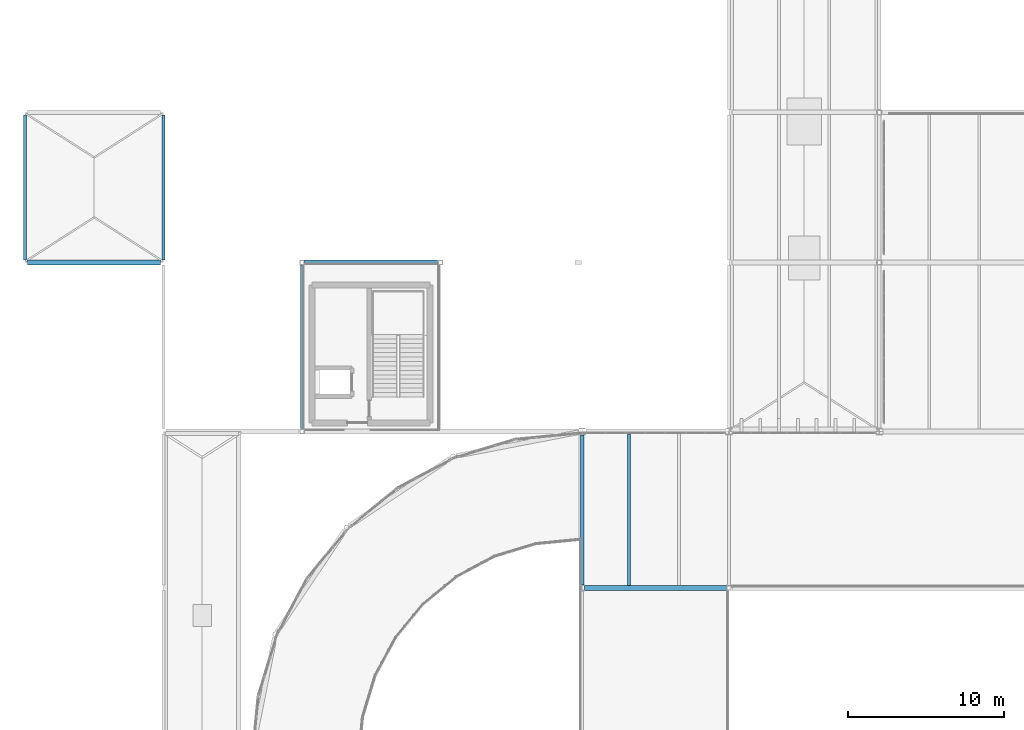
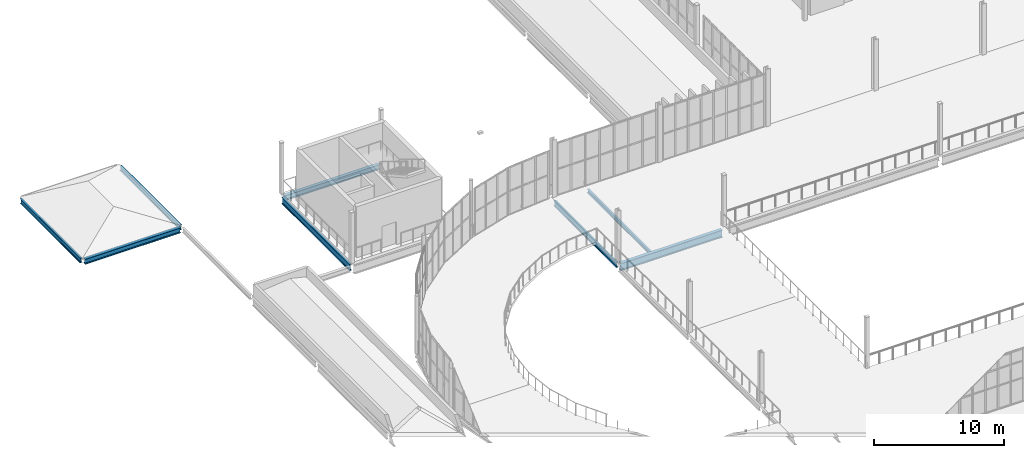
# One storey, part 40 of 112: 8 beams.
"""IFC4 building model written with IfcOpenShell, lengths in metres."""

from ifc_helpers import new_model, si_unit, direction, frame, origin, origin_2d, place, context, subcontext, project, spatial, i_section, extrude, material, material_profile, profile_set, type_object, element, save


model = new_model("IFC4")

# Units and contexts
model_context = context("Model", 3, precision=1e-05, world=origin(), true_north=direction((0.0, 1.0)))
body_context = subcontext(model_context, "Body", "Model", "MODEL_VIEW")
ifc_project = project(units=[si_unit("LENGTHUNIT", "METRE"), si_unit("AREAUNIT", "SQUARE_METRE"), si_unit("VOLUMEUNIT", "CUBIC_METRE"), si_unit("PLANEANGLEUNIT", "RADIAN"), si_unit("MASSUNIT", "GRAM", prefix="KILO")], contexts=[model_context])

# Site, building, storey
site_placement = place(None, origin())
site = spatial("IfcSite", under=ifc_project, at=site_placement, CompositionType="ELEMENT")
building_placement = place(site_placement, origin())
building = spatial("IfcBuilding", under=site, at=building_placement, Name="Yeouljin Market Hall", CompositionType="ELEMENT")
storey_placement = place(building_placement, frame((0.0, 0.0, 6.0)))
storey = spatial("IfcBuildingStorey", under=building, at=storey_placement, Name="L01", CompositionType="ELEMENT", Elevation=6.0)

# Beams
ifc_material_1 = material(Name="Steel SM355", Category="steel")
ifc_material_profile_1 = material_profile(ifc_material_1, i_section(OverallWidth=0.199951171875, OverallDepth=0.449951171875, WebThickness=0.009033203125, FlangeThickness=0.013916015625, FilletRadius=0.01806640625, at=origin_2d()), Name="H-450x200x9x14")
ifc_profile_set_1 = profile_set([ifc_material_profile_1], Name="Steel SM355")
beam_type_1 = type_object("IfcBeamType", Name="Beam_H-450x200x9x14", PredefinedType="BEAM", material=ifc_profile_set_1)
for number, where, z_axis, x_axis, name in (
    (1, (0.0, 88.97509765625, -0.2451171875), (0.0, 1.0, 0.0), (-1.0, 0.0, 0.0), "Service apron canopy beam BM-ENDCAN-Y04"),
    (2, (8.85009765625, 88.97509765625, -0.2451171875), (0.0, 1.0, 0.0), (-1.0, 0.0, 0.0), "Service apron canopy beam BM-ENDCAN-Y06"),
):
    element("IfcBeam", number, at=place(storey_placement, frame(where, z_axis=z_axis, x_axis=x_axis)), inside=storey, type_object=beam_type_1, Name=name, PredefinedType="BEAM", context=body_context, shape_type="SweptSolid", body=[
        extrude(i_section(OverallWidth=0.199951171875, OverallDepth=0.449951171875, WebThickness=0.009033203125, FlangeThickness=0.013916015625, FilletRadius=0.01806640625, at=origin_2d()), origin(), (0.0, 0.0, 1.0), 9.25),
    ])
ifc_material_2 = material(Name="Steel SM355", Category="steel")
ifc_material_profile_2 = material_profile(ifc_material_2, i_section(OverallWidth=0.199951171875, OverallDepth=0.5, WebThickness=0.010009765625, FlangeThickness=0.01611328125, FilletRadius=0.02001953125, at=origin_2d()), Name="H-500x200x10x16")
ifc_profile_set_2 = profile_set([ifc_material_profile_2], Name="Steel SM355")
beam_type_2 = type_object("IfcBeamType", Name="Beam_H-500x200x10x16", PredefinedType="BEAM", material=ifc_profile_set_2)
beam_1_placement = place(storey_placement, frame((35.614990234375, 68.175048828125, -0.52001953125), z_axis=(0.0, 1.0, 0.0), x_axis=(-1.0, 0.0, 0.0)))
element("IfcBeam", 3, at=beam_1_placement, inside=storey, type_object=beam_type_2, Name="Primary beam BM-L01-Y154", PredefinedType="BEAM", context=body_context, shape_type="SweptSolid", body=[
    extrude(i_section(OverallWidth=0.199951171875, OverallDepth=0.5, WebThickness=0.010009765625, FlangeThickness=0.01611328125, FilletRadius=0.02001953125, at=origin_2d()), origin(), (0.0, 0.0, 1.0), 9.599853515625),
])
ifc_material_3 = material(Name="Steel SM355", Category="steel")
ifc_material_profile_3 = material_profile(ifc_material_3, i_section(OverallWidth=0.199951171875, OverallDepth=0.60009765625, WebThickness=0.010986328125, FlangeThickness=0.01708984375, FilletRadius=0.02197265625, at=origin_2d()), Name="H-600x200x11x17")
ifc_profile_set_3 = profile_set([ifc_material_profile_3], Name="Steel SM355")
beam_type_3 = type_object("IfcBeamType", Name="Beam_H-600x200x11x17", PredefinedType="BEAM", material=ifc_profile_set_3)
beam_2_placement = place(storey_placement, frame((17.699951171875, 78.175048828125, -0.56494140625), z_axis=(0.0, 1.0, 0.0), x_axis=(-1.0, 0.0, 0.0)))
element("IfcBeam", 4, at=beam_2_placement, inside=storey, type_object=beam_type_3, Name="Primary beam BM-L01-Y140", PredefinedType="BEAM", context=body_context, shape_type="SweptSolid", body=[
    extrude(i_section(OverallWidth=0.199951171875, OverallDepth=0.60009765625, WebThickness=0.010986328125, FlangeThickness=0.01708984375, FilletRadius=0.02197265625, at=origin_2d()), origin(), (0.0, 0.0, 1.0), 10.449951171875),
])
ifc_material_4 = material(Name="Steel SM355", Category="steel")
ifc_material_profile_4 = material_profile(ifc_material_4, i_section(OverallWidth=0.300048828125, OverallDepth=0.488037109375, WebThickness=0.010986328125, FlangeThickness=0.01806640625, FilletRadius=0.02197265625, at=origin_2d()), Name="H-488x300x11x18")
ifc_profile_set_4 = profile_set([ifc_material_profile_4], Name="Steel SM355")
beam_type_4 = type_object("IfcBeamType", Name="Girder_H-488x300x11x18", PredefinedType="USERDEFINED", material=ifc_profile_set_4)
for number, where, z_axis, x_axis, name in (
    (5, (17.875, 88.800048828125, -0.509033203125), (1.0, 0.0, 0.0), (0.0, 1.0, 0.0), "Primary girder GRD-L01-X095"),
    (6, (0.175048828125, 88.800048828125, -0.263916015625), (1.0, 0.0, 0.0), (0.0, 1.0, 0.0), "Service apron canopy girder GRD-ENDCAN-X01"),
):
    element("IfcBeam", number, at=place(storey_placement, frame(where, z_axis=z_axis, x_axis=x_axis)), inside=storey, type_object=beam_type_4, Name=name, ObjectType="GIRDER", PredefinedType="USERDEFINED", context=body_context, shape_type="SweptSolid", body=[
        extrude(i_section(OverallWidth=0.300048828125, OverallDepth=0.488037109375, WebThickness=0.010986328125, FlangeThickness=0.01806640625, FilletRadius=0.02197265625, at=origin_2d()), origin(), (0.0, 0.0, 1.0), 8.5),
    ])
ifc_material_5 = material(Name="Steel SM355", Category="steel")
ifc_material_profile_5 = material_profile(ifc_material_5, i_section(OverallWidth=0.300048828125, OverallDepth=0.699951171875, WebThickness=0.012939453125, FlangeThickness=0.02392578125, FilletRadius=0.02587890625, at=origin_2d()), Name="H-700x300x13x24")
ifc_profile_set_5 = profile_set([ifc_material_profile_5], Name="Steel SM355")
beam_type_5 = type_object("IfcBeamType", Name="Girder_H-700x300x13x24", PredefinedType="USERDEFINED", material=ifc_profile_set_5)
beam_3_placement = place(storey_placement, frame((35.764892578125, 68.0, -0.6201171875), z_axis=(1.0, 0.0, 0.0), x_axis=(0.0, 1.0, 0.0)))
element("IfcBeam", 7, at=beam_3_placement, inside=storey, type_object=beam_type_5, Name="Primary girder GRD-L01-X071", ObjectType="GIRDER", PredefinedType="USERDEFINED", context=body_context, shape_type="SweptSolid", body=[
    extrude(i_section(OverallWidth=0.300048828125, OverallDepth=0.699951171875, WebThickness=0.012939453125, FlangeThickness=0.02392578125, FilletRadius=0.02587890625, at=origin_2d()), origin(), (0.0, 0.0, 1.0), 9.06005859375),
])
ifc_material_6 = material(Name="Steel SM355", Category="steel")
ifc_material_profile_6 = material_profile(ifc_material_6, i_section(OverallWidth=0.175048828125, OverallDepth=0.35009765625, WebThickness=0.007080078125, FlangeThickness=0.010986328125, FilletRadius=0.013916015625, at=origin_2d()), Name="H-350x175x7x11")
ifc_profile_set_6 = profile_set([ifc_material_profile_6], Name="Steel SM355")
beam_type_6 = type_object("IfcBeamType", Name="Joist_H-350x175x7x11", PredefinedType="JOIST", material=ifc_profile_set_6)
beam_4_placement = place(storey_placement, frame((38.60009765625, 68.14697265625, -0.445068359375), z_axis=(0.0, 1.0, 0.0), x_axis=(-1.0, 0.0, 0.0)))
element("IfcBeam", 8, at=beam_4_placement, inside=storey, type_object=beam_type_6, Name="Secondary floor joist L01-030", PredefinedType="JOIST", context=body_context, shape_type="SweptSolid", body=[
    extrude(i_section(OverallWidth=0.175048828125, OverallDepth=0.35009765625, WebThickness=0.007080078125, FlangeThickness=0.010986328125, FilletRadius=0.013916015625, at=origin_2d()), origin(), (0.0, 0.0, 1.0), 9.7060546875),
])

save(model, "model.ifc")
